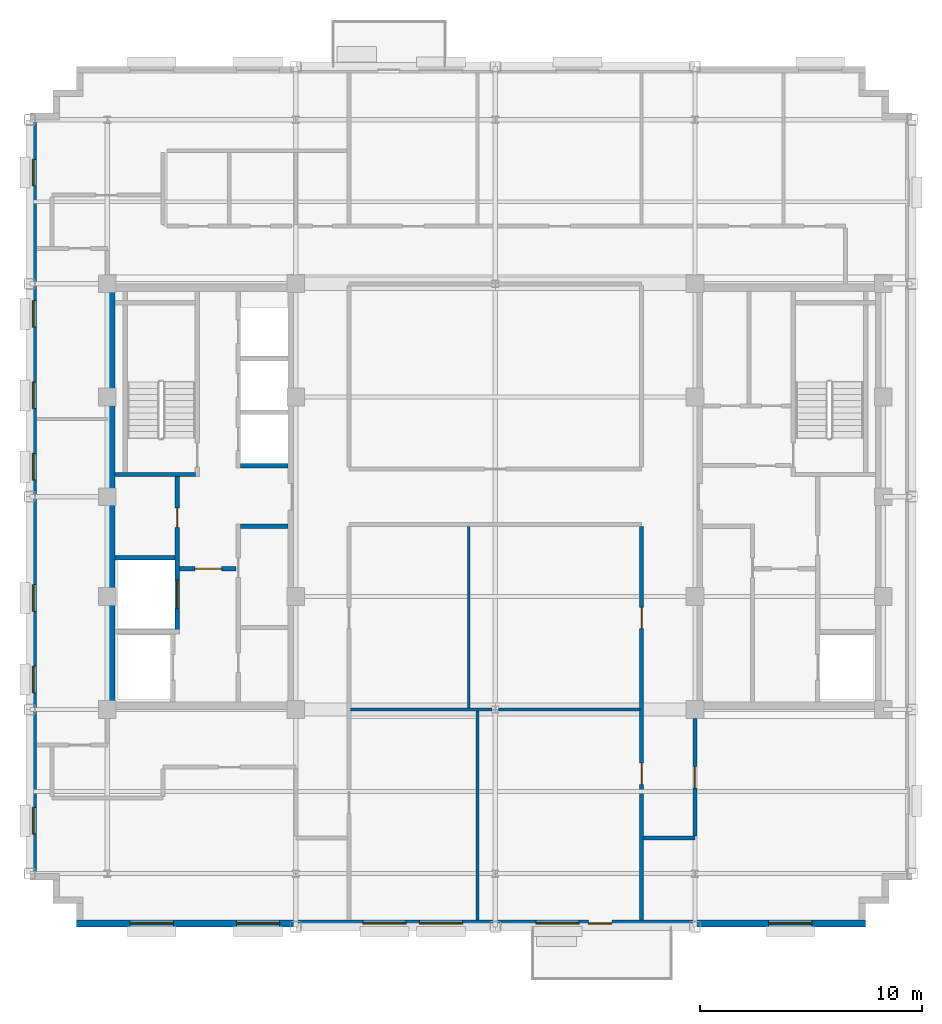
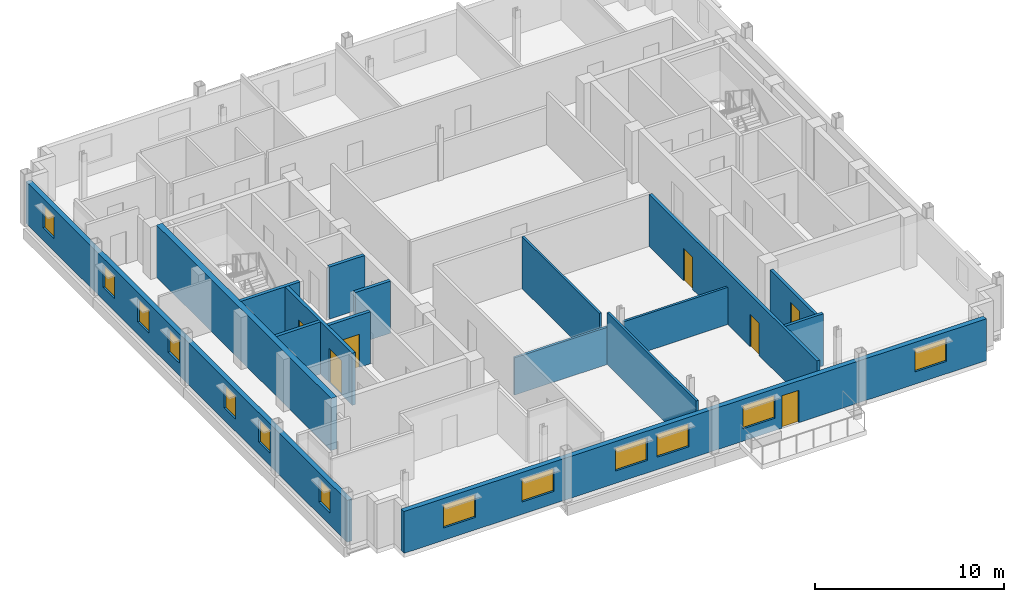
# One storey, part 6 of 13: 16 walls, 13 windows, 7 doors, 20 openings.
"""IFC4 building model written with IfcOpenShell, lengths in metres."""

import ifcopenshell
import ifcopenshell.guid

model = None  # the IFC model being written
_history = None  # IfcOwnerHistory: only IFC2X3 demands one
_inside = {}  # id of a spatial element -> (the spatial element, [elements in it])
_under = {}  # id of a project, library or spatial element -> (it, [spatial elements below it])
_declared = {}  # id of a project -> (the project, [libraries it declares])
_typed = {}  # id of a type object -> (the type object, [elements of that type])
_made_of = {}  # id of a material, layer set ... -> (it, [elements and type objects made of it])


def new_model(schema):
    """Start an empty IFC model of exactly this schema.

    Asked for "IFC4X3", IfcOpenShell would pick the latest addendum, in which some entities
    have other attributes; the version numbers below select the first issue.
    IFC2X3 requires an IfcOwnerHistory on every rooted entity: one is made here for all.
    """
    global model, _history
    if schema == "IFC4X3":
        model = ifcopenshell.file(schema_version=(4, 3, 0, 0))
    else:
        model = ifcopenshell.file(schema=schema)
    _inside.clear()
    _under.clear()
    _declared.clear()
    _typed.clear()
    _made_of.clear()
    _history = None
    if model.schema == "IFC2X3":
        org = make("IfcOrganization", Name="unknown")
        user = make(
            "IfcPersonAndOrganization",
            ThePerson=make("IfcPerson", FamilyName="unknown"),
            TheOrganization=org,
        )
        app = make(
            "IfcApplication",
            ApplicationDeveloper=org,
            Version="unknown",
            ApplicationFullName="unknown",
            ApplicationIdentifier="unknown",
        )
        _history = make(
            "IfcOwnerHistory",
            OwningUser=user,
            OwningApplication=app,
            ChangeAction="ADDED",
            CreationDate=0,
        )
    return model


def make(cls, **values):
    """One entity of the class cls with the attributes given. An attribute that is None is left unset."""
    return model.create_entity(
        cls, **{name: value for name, value in values.items() if value is not None}
    )


def rooted(cls, **values):
    """An entity with a GlobalId (a new one), such as an element, a storey or a relation."""
    return make(cls, GlobalId=ifcopenshell.guid.new(), OwnerHistory=_history, **values)


def si_unit(unit_type, name, prefix=None):
    """IfcSIUnit, for example si_unit("LENGTHUNIT", "METRE", prefix="MILLI")."""
    return make("IfcSIUnit", UnitType=unit_type, Prefix=prefix, Name=name)


def assignment(units):
    """IfcUnitAssignment: the units of a project."""
    return None if units is None else make("IfcUnitAssignment", Units=units)


def point(xyz):
    """IfcCartesianPoint."""
    return None if xyz is None else make("IfcCartesianPoint", Coordinates=xyz)


def direction(xyz):
    """IfcDirection."""
    return None if xyz is None else make("IfcDirection", DirectionRatios=xyz)


def frame(location, z_axis=None, x_axis=None):
    """IfcAxis2Placement3D, a coordinate frame: its origin and axes. An axis left out is left unset."""
    return make(
        "IfcAxis2Placement3D",
        Location=point(location),
        Axis=direction(z_axis),
        RefDirection=direction(x_axis),
    )


def frame_2d(location, x_axis=None):
    """IfcAxis2Placement2D, a coordinate frame in the plane: its origin and x axis."""
    return make(
        "IfcAxis2Placement2D", Location=point(location), RefDirection=direction(x_axis)
    )


def origin():
    """The frame at (0, 0, 0) with its axes left unset."""
    return frame((0.0, 0.0, 0.0))


def place(relative_to, where):
    """IfcLocalPlacement: puts the frame where relative to a parent placement (None: the world)."""
    return make(
        "IfcLocalPlacement", PlacementRelTo=relative_to, RelativePlacement=where
    )


def context(
    kind, dimensions, precision=None, world=None, true_north=None, identifier=None
):
    """IfcGeometricRepresentationContext, for example the 3D "Model" context."""
    return make(
        "IfcGeometricRepresentationContext",
        ContextIdentifier=identifier,
        ContextType=kind,
        CoordinateSpaceDimension=dimensions,
        Precision=precision,
        WorldCoordinateSystem=world,
        TrueNorth=true_north,
    )


def subcontext(parent, identifier, kind, view, scale=None):
    """IfcGeometricRepresentationSubContext, for example "Body" below "Model"."""
    return make(
        "IfcGeometricRepresentationSubContext",
        ContextIdentifier=identifier,
        ContextType=kind,
        ParentContext=parent,
        TargetScale=scale,
        TargetView=view,
    )


def project(units=None, contexts=None):
    """IfcProject with its units and contexts."""
    return rooted(
        "IfcProject",
        Name="project",
        RepresentationContexts=contexts,
        UnitsInContext=assignment(units),
    )


def spatial(cls, under=None, at=None, **own):
    """A site, building, storey or space (cls), placed at a placement, below another one or the project."""
    s = rooted(cls, ObjectPlacement=at, **own)
    if under is not None:
        _under.setdefault(under.id(), (under, []))[1].append(s)
    return s


def profile(cls, at=None, kind="AREA", **sizes):
    """A parametric profile (cls). Its sizes go by their IFC names, for example OverallWidth=200.0."""
    return make(cls, ProfileType=kind, Position=at, **sizes)


def rectangle(**sizes):
    """IfcRectangleProfileDef."""
    return profile("IfcRectangleProfileDef", **sizes)


def extrude(swept, where, along, depth):
    """IfcExtrudedAreaSolid: the profile swept, set in the frame where, extruded along a direction by depth."""
    return make(
        "IfcExtrudedAreaSolid",
        SweptArea=swept,
        Position=where,
        ExtrudedDirection=direction(along),
        Depth=depth,
    )


def shape(context_of_items, identifier, shape_type, items):
    """IfcShapeRepresentation: the items that make up one representation, for example the "Body"."""
    return make(
        "IfcShapeRepresentation",
        ContextOfItems=context_of_items,
        RepresentationIdentifier=identifier,
        RepresentationType=shape_type,
        Items=items,
    )


def source(mapping_origin, context_of_items, identifier, shape_type, items):
    """IfcRepresentationMap: a shape defined once, which mapped items show again and again."""
    return make(
        "IfcRepresentationMap",
        MappingOrigin=mapping_origin,
        MappedRepresentation=shape(context_of_items, identifier, shape_type, items),
    )


def transform(
    local_origin,
    x_axis=None,
    y_axis=None,
    z_axis=None,
    scale=None,
    scale2=None,
    scale3=None,
    uniform=True,
):
    """IfcCartesianTransformationOperator3D, or its non-uniform kind. x_axis, y_axis, z_axis: its Axis1, 2, 3."""
    if uniform:
        return make(
            "IfcCartesianTransformationOperator3D",
            Axis1=direction(x_axis),
            Axis2=direction(y_axis),
            LocalOrigin=point(local_origin),
            Scale=scale,
            Axis3=direction(z_axis),
        )
    return make(
        "IfcCartesianTransformationOperator3DnonUniform",
        Axis1=direction(x_axis),
        Axis2=direction(y_axis),
        LocalOrigin=point(local_origin),
        Scale=scale,
        Axis3=direction(z_axis),
        Scale2=scale2,
        Scale3=scale3,
    )


def mapped(mapping_source, mapping_target):
    """IfcMappedItem: shows the shape of a source again, moved by a transform."""
    return make(
        "IfcMappedItem", MappingSource=mapping_source, MappingTarget=mapping_target
    )


def material(Name=None, Category=None):
    """IfcMaterial."""
    return make("IfcMaterial", Name=Name, Category=Category)


def layer(
    of_material, thickness, ventilated=None, Name=None, Category=None, Priority=None
):
    """IfcMaterialLayer: one layer of a wall or slab, of a material (None: an air gap)."""
    return make(
        "IfcMaterialLayer",
        Material=of_material,
        LayerThickness=thickness,
        IsVentilated=ventilated,
        Name=Name,
        Category=Category,
        Priority=Priority,
    )


def layer_set(layers, Name=None):
    """IfcMaterialLayerSet."""
    return make("IfcMaterialLayerSet", MaterialLayers=layers, LayerSetName=Name)


def made_of(thing, what):
    """Note that an element or type object is made of a material, layer set ...; save() writes the relation."""
    if what is not None:
        _made_of.setdefault(what.id(), (what, []))[1].append(thing)
    return thing


def type_object(cls, material=None, **own):
    """A type object (cls), such as IfcWallType, which elements share."""
    return made_of(rooted(cls, **own), material)


def type_shapes(of_type, sources):
    """Give a type object the sources (RepresentationMaps) that its elements show as mapped items."""
    of_type.RepresentationMaps = sources


def element(
    cls,
    number,
    at=None,
    inside=None,
    cuts=None,
    type_object=None,
    material=None,
    context=None,
    identifier="Body",
    shape_type=None,
    held_by="IfcProductDefinitionShape",
    body=None,
    shapes=None,
    **own,
):
    """One element of the class cls, such as IfcWall. Its Tag is "e" and its number.

    at: its placement. inside: the storey or other place that contains it. cuts: it is an
    opening in that element (IfcRelVoidsElement). A single representation is given by context,
    identifier, shape_type and body (its items); several are given by shapes. held_by: the class
    of the entity that holds the representations. save() writes the other relations.
    """
    e = rooted(cls, Tag="e%d" % number, ObjectPlacement=at, **own)
    if body is not None:
        shapes = [shape(context, identifier, shape_type, body)]
    if shapes is not None:
        e.Representation = make(held_by, Representations=shapes)
    if inside is not None:
        _inside.setdefault(inside.id(), (inside, []))[1].append(e)
    if cuts is not None:
        rooted(
            "IfcRelVoidsElement", RelatingBuildingElement=cuts, RelatedOpeningElement=e
        )
    if type_object is not None:
        _typed.setdefault(type_object.id(), (type_object, []))[1].append(e)
    return made_of(e, material)


def fill(opening, filler):
    """IfcRelFillsElement: the door or window that sits in an opening."""
    return rooted(
        "IfcRelFillsElement",
        RelatingOpeningElement=opening,
        RelatedBuildingElement=filler,
    )


def aggregate(whole, parts):
    """IfcRelAggregates: a whole, such as a stair, and the parts it consists of."""
    return rooted("IfcRelAggregates", RelatingObject=whole, RelatedObjects=parts)


def save(model, path):
    """Write the relations noted so far, then the file.

    IfcRelAggregates (storeys below a building ...), IfcRelContainedInSpatialStructure (elements
    in a storey), IfcRelDefinesByType, IfcRelAssociatesMaterial and IfcRelDeclares: one each for
    every whole, place, type object, material and project.
    """
    for whole, parts in _under.values():
        aggregate(whole, parts)
    for where, things in _inside.values():
        rooted(
            "IfcRelContainedInSpatialStructure",
            RelatedElements=things,
            RelatingStructure=where,
        )
    for kind, things in _typed.values():
        rooted("IfcRelDefinesByType", RelatedObjects=things, RelatingType=kind)
    for what, things in _made_of.values():
        rooted("IfcRelAssociatesMaterial", RelatedObjects=things, RelatingMaterial=what)
    for by, libraries in _declared.values():
        rooted("IfcRelDeclares", RelatingContext=by, RelatedDefinitions=libraries)
    model.write(path)


model = new_model("IFC4")

# Units and contexts
model_context = context("Model", 3, precision=1e-05, world=origin(), true_north=direction((0.0, 1.0)))
body_context = subcontext(model_context, "Body", "Model", "MODEL_VIEW")
ifc_project = project(units=[si_unit("LENGTHUNIT", "METRE"), si_unit("AREAUNIT", "SQUARE_METRE"), si_unit("VOLUMEUNIT", "CUBIC_METRE"), si_unit("PLANEANGLEUNIT", "RADIAN"), si_unit("MASSUNIT", "GRAM", prefix="KILO")], contexts=[model_context])

# Site, building, storey
site_placement = place(None, origin())
site = spatial("IfcSite", under=ifc_project, at=site_placement, CompositionType="ELEMENT")
building_placement = place(site_placement, origin())
building = spatial("IfcBuilding", under=site, at=building_placement, Name="Nuvemarco Arch Tower", CompositionType="ELEMENT")
storey_placement = place(building_placement, frame((0.0, 0.0, 257.949951171875)))
storey = spatial("IfcBuildingStorey", under=building, at=storey_placement, Name="L68", CompositionType="ELEMENT", Elevation=257.949951171875)

# Wall, openings, door, windows
ifc_material_1 = material(Name="Precast concrete C45/55", Category="concrete")
ifc_layer_1 = layer(ifc_material_1, 0.300048828125, Name="EW-HIGH-300")
ifc_layer_set_1 = layer_set([ifc_layer_1], Name="Precast concrete C45/55")
wall_type_1 = type_object("IfcWallType", Name="EW-HIGH-300", PredefinedType="STANDARD", material=ifc_layer_set_1)
wall_1_placement = place(storey_placement, frame((-18.89990234375, -19.25, 0.0), z_axis=(0.0, 0.0, 1.0), x_axis=(1.0, 0.0, 0.0)))
wall_1 = element("IfcWall", 1, at=wall_1_placement, inside=storey, type_object=wall_type_1, Name="L68 exterior precast facade wall 1", PredefinedType="STANDARD", context=body_context, shape_type="SweptSolid", body=[
    extrude(rectangle(XDim=35.599853515625, YDim=0.300048828125, at=frame_2d((17.7998046875, 0.0))), origin(), (0.0, 0.0, 1.0), 2.705078125),
])
opening_1_placement = place(wall_1_placement, frame((24.150146484375, 0.0, 0.0), z_axis=(0.0, 0.0, 1.0), x_axis=(-1.0, 0.0, 0.0)))
opening_1 = element("IfcOpeningElement", 2, at=opening_1_placement, cuts=wall_1, Name="Opening ED-5", PredefinedType="OPENING", context=body_context, shape_type="SweptSolid", body=[
    extrude(rectangle(XDim=1.050048828125, YDim=2.10009765625, at=frame_2d((0.52490234375, 1.050048828125))), frame((0.0, 0.159912109375, 0.0), z_axis=(0.0, -1.0, 0.0), x_axis=(1.0, 0.0, 0.0)), (0.0, 0.0, 1.0), 0.320068359375),
])
opening_2_placement = place(wall_1_placement, frame((2.425048828125, 0.0, 0.800048828125)))
opening_2 = element("IfcOpeningElement", 3, at=opening_2_placement, cuts=wall_1, Name="Opening WN-7", PredefinedType="OPENING", context=body_context, shape_type="SweptSolid", body=[
    extrude(rectangle(XDim=1.949951171875, YDim=1.47998046875, at=frame_2d((0.97509765625, 0.739990234375))), frame((0.0, 0.159912109375, 0.0), z_axis=(0.0, -1.0, 0.0), x_axis=(1.0, 0.0, 0.0)), (0.0, 0.0, 1.0), 0.320068359375),
])
opening_3_placement = place(wall_1_placement, frame((7.22509765625, 0.0, 0.800048828125)))
opening_3 = element("IfcOpeningElement", 4, at=opening_3_placement, cuts=wall_1, Name="Opening WN-7", PredefinedType="OPENING", context=body_context, shape_type="SweptSolid", body=[
    extrude(rectangle(XDim=1.949951171875, YDim=1.47998046875, at=frame_2d((0.97509765625, 0.739990234375))), frame((0.0, 0.159912109375, 0.0), z_axis=(0.0, -1.0, 0.0), x_axis=(1.0, 0.0, 0.0)), (0.0, 0.0, 1.0), 0.320068359375),
])
opening_4_placement = place(wall_1_placement, frame((12.925048828125, 0.0, 0.800048828125)))
opening_4 = element("IfcOpeningElement", 5, at=opening_4_placement, cuts=wall_1, Name="Opening WN-7", PredefinedType="OPENING", context=body_context, shape_type="SweptSolid", body=[
    extrude(rectangle(XDim=1.949951171875, YDim=1.47998046875, at=frame_2d((0.97509765625, 0.739990234375))), frame((0.0, 0.159912109375, 0.0), z_axis=(0.0, -1.0, 0.0), x_axis=(1.0, 0.0, 0.0)), (0.0, 0.0, 1.0), 0.320068359375),
])
opening_5_placement = place(wall_1_placement, frame((15.47509765625, 0.0, 0.800048828125)))
opening_5 = element("IfcOpeningElement", 6, at=opening_5_placement, cuts=wall_1, Name="Opening WN-7", PredefinedType="OPENING", context=body_context, shape_type="SweptSolid", body=[
    extrude(rectangle(XDim=1.949951171875, YDim=1.47998046875, at=frame_2d((0.97509765625, 0.739990234375))), frame((0.0, 0.159912109375, 0.0), z_axis=(0.0, -1.0, 0.0), x_axis=(1.0, 0.0, 0.0)), (0.0, 0.0, 1.0), 0.320068359375),
])
opening_6_placement = place(wall_1_placement, frame((20.72509765625, 0.0, 0.800048828125)))
opening_6 = element("IfcOpeningElement", 7, at=opening_6_placement, cuts=wall_1, Name="Opening WN-7", PredefinedType="OPENING", context=body_context, shape_type="SweptSolid", body=[
    extrude(rectangle(XDim=1.949951171875, YDim=1.47998046875, at=frame_2d((0.97509765625, 0.739990234375))), frame((0.0, 0.159912109375, 0.0), z_axis=(0.0, -1.0, 0.0), x_axis=(1.0, 0.0, 0.0)), (0.0, 0.0, 1.0), 0.320068359375),
])
opening_7_placement = place(wall_1_placement, frame((31.22509765625, 0.0, 0.800048828125)))
opening_7 = element("IfcOpeningElement", 8, at=opening_7_placement, cuts=wall_1, Name="Opening WN-7", PredefinedType="OPENING", context=body_context, shape_type="SweptSolid", body=[
    extrude(rectangle(XDim=1.949951171875, YDim=1.47998046875, at=frame_2d((0.97509765625, 0.739990234375))), frame((0.0, 0.159912109375, 0.0), z_axis=(0.0, -1.0, 0.0), x_axis=(1.0, 0.0, 0.0)), (0.0, 0.0, 1.0), 0.320068359375),
])
ifc_material_2 = material(Name="Anodised bronze and laminated glass", Category="glass")
door_type_1 = type_object("IfcDoorType", Name="DR-EXT-TERR", OperationType="NOTDEFINED", PredefinedType="DOOR", material=ifc_material_2)
shared_shape_1 = source(origin(), body_context, "Body", "SweptSolid", [
    extrude(rectangle(XDim=1.050048828125, YDim=2.10009765625, at=frame_2d((0.52490234375, 1.050048828125))), frame((0.0, 0.02490234375, 0.0), z_axis=(0.0, -1.0, 0.0), x_axis=(1.0, 0.0, 0.0)), (0.0, 0.0, 1.0), 0.050048828125),
])
type_shapes(door_type_1, [shared_shape_1])
door_1_placement = place(opening_1_placement, origin())
door_1 = element("IfcDoor", 9, at=door_1_placement, inside=storey, type_object=door_type_1, Name="L68 spiral terrace access door", OperationType="SINGLE_SWING_RIGHT", OverallHeight=2.10009765625, OverallWidth=1.050048828125, PredefinedType="DOOR", context=body_context, shape_type="MappedRepresentation", body=[
    mapped(shared_shape_1, transform((0.0, 0.0, 0.0), scale=1.0)),
])
fill(opening_1, door_1)
ifc_material_3 = material(Name="Insulated solar-control glass", Category="glass")
window_type_1 = type_object("IfcWindowType", Name="WN-HIGH-1950x1480", PartitioningType="DOUBLE_PANEL_VERTICAL", PredefinedType="WINDOW", material=ifc_material_3)
shared_shape_2 = source(origin(), body_context, "Body", "SweptSolid", [
    extrude(rectangle(XDim=1.949951171875, YDim=1.47998046875, at=frame_2d((0.97509765625, 0.739990234375))), frame((0.0, 0.030029296875, 0.0), z_axis=(0.0, -1.0, 0.0), x_axis=(1.0, 0.0, 0.0)), (0.0, 0.0, 1.0), 0.06005859375),
])
type_shapes(window_type_1, [shared_shape_2])
window_1_placement = place(opening_2_placement, origin())
window_1 = element("IfcWindow", 10, at=window_1_placement, inside=storey, type_object=window_type_1, Name="L68 punched facade window 1", OverallHeight=1.47998046875, OverallWidth=1.949951171875, PartitioningType="SINGLE_PANEL", PredefinedType="WINDOW", context=body_context, shape_type="MappedRepresentation", body=[
    mapped(shared_shape_2, transform((0.0, 0.0, 0.0), scale=1.0)),
])
fill(opening_2, window_1)
window_2_placement = place(opening_3_placement, origin())
window_2 = element("IfcWindow", 11, at=window_2_placement, inside=storey, type_object=window_type_1, Name="L68 punched facade window 2", OverallHeight=1.47998046875, OverallWidth=1.949951171875, PartitioningType="SINGLE_PANEL", PredefinedType="WINDOW", context=body_context, shape_type="MappedRepresentation", body=[
    mapped(shared_shape_2, transform((0.0, 0.0, 0.0), scale=1.0)),
])
fill(opening_3, window_2)
window_3_placement = place(opening_4_placement, origin())
window_3 = element("IfcWindow", 12, at=window_3_placement, inside=storey, type_object=window_type_1, Name="L68 punched facade window 3", OverallHeight=1.47998046875, OverallWidth=1.949951171875, PartitioningType="SINGLE_PANEL", PredefinedType="WINDOW", context=body_context, shape_type="MappedRepresentation", body=[
    mapped(shared_shape_2, transform((0.0, 0.0, 0.0), scale=1.0)),
])
fill(opening_4, window_3)
window_4_placement = place(opening_5_placement, origin())
window_4 = element("IfcWindow", 13, at=window_4_placement, inside=storey, type_object=window_type_1, Name="L68 punched facade window 4", OverallHeight=1.47998046875, OverallWidth=1.949951171875, PartitioningType="SINGLE_PANEL", PredefinedType="WINDOW", context=body_context, shape_type="MappedRepresentation", body=[
    mapped(shared_shape_2, transform((0.0, 0.0, 0.0), scale=1.0)),
])
fill(opening_5, window_4)
window_5_placement = place(opening_6_placement, origin())
window_5 = element("IfcWindow", 14, at=window_5_placement, inside=storey, type_object=window_type_1, Name="L68 punched facade window 5", OverallHeight=1.47998046875, OverallWidth=1.949951171875, PartitioningType="SINGLE_PANEL", PredefinedType="WINDOW", context=body_context, shape_type="MappedRepresentation", body=[
    mapped(shared_shape_2, transform((0.0, 0.0, 0.0), scale=1.0)),
])
fill(opening_6, window_5)
window_6_placement = place(opening_7_placement, origin())
window_6 = element("IfcWindow", 15, at=window_6_placement, inside=storey, type_object=window_type_1, Name="L68 punched facade window 7", OverallHeight=1.47998046875, OverallWidth=1.949951171875, PartitioningType="SINGLE_PANEL", PredefinedType="WINDOW", context=body_context, shape_type="MappedRepresentation", body=[
    mapped(shared_shape_2, transform((0.0, 0.0, 0.0), scale=1.0)),
])
fill(opening_7, window_6)

# Wall, openings, windows
wall_2_placement = place(storey_placement, frame((-20.85009765625, -17.00390625, 0.0), z_axis=(0.0, 0.0, 1.0), x_axis=(0.0, 1.0, 0.0)))
wall_2 = element("IfcWall", 16, at=wall_2_placement, inside=storey, type_object=wall_type_1, Name="L68 exterior precast facade wall 16", PredefinedType="STANDARD", context=body_context, shape_type="SweptSolid", body=[
    extrude(rectangle(XDim=34.0078125, YDim=0.300048828125, at=frame_2d((17.00390625, 0.0))), origin(), (0.0, 0.0, 1.0), 2.705078125),
])
opening_8_placement = place(wall_2_placement, frame((1.786376953125, 0.0, 0.800048828125)))
opening_8 = element("IfcOpeningElement", 17, at=opening_8_placement, cuts=wall_2, Name="Opening WN-8", PredefinedType="OPENING", context=body_context, shape_type="SweptSolid", body=[
    extrude(rectangle(XDim=1.199951171875, YDim=1.47998046875, at=frame_2d((0.60009765625, 0.739990234375))), frame((0.0, 0.159912109375, 0.0), z_axis=(0.0, -1.0, 0.0), x_axis=(1.0, 0.0, 0.0)), (0.0, 0.0, 1.0), 0.320068359375),
])
opening_9_placement = place(wall_2_placement, frame((8.158935546875, 0.0, 0.800048828125)))
opening_9 = element("IfcOpeningElement", 18, at=opening_9_placement, cuts=wall_2, Name="Opening WN-8", PredefinedType="OPENING", context=body_context, shape_type="SweptSolid", body=[
    extrude(rectangle(XDim=1.199951171875, YDim=1.47998046875, at=frame_2d((0.60009765625, 0.739990234375))), frame((0.0, 0.159912109375, 0.0), z_axis=(0.0, -1.0, 0.0), x_axis=(1.0, 0.0, 0.0)), (0.0, 0.0, 1.0), 0.320068359375),
])
opening_10_placement = place(wall_2_placement, frame((11.831298828125, 0.0, 0.800048828125)))
opening_10 = element("IfcOpeningElement", 19, at=opening_10_placement, cuts=wall_2, Name="Opening WN-8", PredefinedType="OPENING", context=body_context, shape_type="SweptSolid", body=[
    extrude(rectangle(XDim=1.199951171875, YDim=1.47998046875, at=frame_2d((0.60009765625, 0.739990234375))), frame((0.0, 0.159912109375, 0.0), z_axis=(0.0, -1.0, 0.0), x_axis=(1.0, 0.0, 0.0)), (0.0, 0.0, 1.0), 0.320068359375),
])
opening_11_placement = place(wall_2_placement, frame((17.75390625, 0.0, 0.800048828125)))
opening_11 = element("IfcOpeningElement", 20, at=opening_11_placement, cuts=wall_2, Name="Opening WN-8", PredefinedType="OPENING", context=body_context, shape_type="SweptSolid", body=[
    extrude(rectangle(XDim=1.199951171875, YDim=1.47998046875, at=frame_2d((0.60009765625, 0.739990234375))), frame((0.0, 0.159912109375, 0.0), z_axis=(0.0, -1.0, 0.0), x_axis=(1.0, 0.0, 0.0)), (0.0, 0.0, 1.0), 0.320068359375),
])
opening_12_placement = place(wall_2_placement, frame((20.9765625, 0.0, 0.800048828125)))
opening_12 = element("IfcOpeningElement", 21, at=opening_12_placement, cuts=wall_2, Name="Opening WN-8", PredefinedType="OPENING", context=body_context, shape_type="SweptSolid", body=[
    extrude(rectangle(XDim=1.199951171875, YDim=1.47998046875, at=frame_2d((0.60009765625, 0.739990234375))), frame((0.0, 0.159912109375, 0.0), z_axis=(0.0, -1.0, 0.0), x_axis=(1.0, 0.0, 0.0)), (0.0, 0.0, 1.0), 0.320068359375),
])
opening_13_placement = place(wall_2_placement, frame((24.649169921875, 0.0, 0.800048828125)))
opening_13 = element("IfcOpeningElement", 22, at=opening_13_placement, cuts=wall_2, Name="Opening WN-8", PredefinedType="OPENING", context=body_context, shape_type="SweptSolid", body=[
    extrude(rectangle(XDim=1.199951171875, YDim=1.47998046875, at=frame_2d((0.60009765625, 0.739990234375))), frame((0.0, 0.159912109375, 0.0), z_axis=(0.0, -1.0, 0.0), x_axis=(1.0, 0.0, 0.0)), (0.0, 0.0, 1.0), 0.320068359375),
])
opening_14_placement = place(wall_2_placement, frame((31.021728515625, 0.0, 0.800048828125)))
opening_14 = element("IfcOpeningElement", 23, at=opening_14_placement, cuts=wall_2, Name="Opening WN-8", PredefinedType="OPENING", context=body_context, shape_type="SweptSolid", body=[
    extrude(rectangle(XDim=1.199951171875, YDim=1.47998046875, at=frame_2d((0.60009765625, 0.739990234375))), frame((0.0, 0.159912109375, 0.0), z_axis=(0.0, -1.0, 0.0), x_axis=(1.0, 0.0, 0.0)), (0.0, 0.0, 1.0), 0.320068359375),
])
window_type_2 = type_object("IfcWindowType", Name="WN-HIGH-1200x1480", PartitioningType="SINGLE_PANEL", PredefinedType="WINDOW", material=ifc_material_3)
shared_shape_3 = source(origin(), body_context, "Body", "SweptSolid", [
    extrude(rectangle(XDim=1.199951171875, YDim=1.47998046875, at=frame_2d((0.60009765625, 0.739990234375))), frame((0.0, 0.030029296875, 0.0), z_axis=(0.0, -1.0, 0.0), x_axis=(1.0, 0.0, 0.0)), (0.0, 0.0, 1.0), 0.06005859375),
])
type_shapes(window_type_2, [shared_shape_3])
window_7_placement = place(opening_8_placement, origin())
window_7 = element("IfcWindow", 24, at=window_7_placement, inside=storey, type_object=window_type_2, Name="L68 punched facade window 1", OverallHeight=1.47998046875, OverallWidth=1.199951171875, PartitioningType="SINGLE_PANEL", PredefinedType="WINDOW", context=body_context, shape_type="MappedRepresentation", body=[
    mapped(shared_shape_3, transform((0.0, 0.0, 0.0), scale=1.0)),
])
fill(opening_8, window_7)
window_8_placement = place(opening_9_placement, origin())
window_8 = element("IfcWindow", 25, at=window_8_placement, inside=storey, type_object=window_type_2, Name="L68 punched facade window 2", OverallHeight=1.47998046875, OverallWidth=1.199951171875, PartitioningType="SINGLE_PANEL", PredefinedType="WINDOW", context=body_context, shape_type="MappedRepresentation", body=[
    mapped(shared_shape_3, transform((0.0, 0.0, 0.0), scale=1.0)),
])
fill(opening_9, window_8)
window_9_placement = place(opening_10_placement, origin())
window_9 = element("IfcWindow", 26, at=window_9_placement, inside=storey, type_object=window_type_2, Name="L68 punched facade window 3", OverallHeight=1.47998046875, OverallWidth=1.199951171875, PartitioningType="SINGLE_PANEL", PredefinedType="WINDOW", context=body_context, shape_type="MappedRepresentation", body=[
    mapped(shared_shape_3, transform((0.0, 0.0, 0.0), scale=1.0)),
])
fill(opening_10, window_9)
window_10_placement = place(opening_11_placement, origin())
window_10 = element("IfcWindow", 27, at=window_10_placement, inside=storey, type_object=window_type_2, Name="L68 punched facade window 4", OverallHeight=1.47998046875, OverallWidth=1.199951171875, PartitioningType="SINGLE_PANEL", PredefinedType="WINDOW", context=body_context, shape_type="MappedRepresentation", body=[
    mapped(shared_shape_3, transform((0.0, 0.0, 0.0), scale=1.0)),
])
fill(opening_11, window_10)
window_11_placement = place(opening_12_placement, origin())
window_11 = element("IfcWindow", 28, at=window_11_placement, inside=storey, type_object=window_type_2, Name="L68 punched facade window 5", OverallHeight=1.47998046875, OverallWidth=1.199951171875, PartitioningType="SINGLE_PANEL", PredefinedType="WINDOW", context=body_context, shape_type="MappedRepresentation", body=[
    mapped(shared_shape_3, transform((0.0, 0.0, 0.0), scale=1.0)),
])
fill(opening_12, window_11)
window_12_placement = place(opening_13_placement, origin())
window_12 = element("IfcWindow", 29, at=window_12_placement, inside=storey, type_object=window_type_2, Name="L68 punched facade window 6", OverallHeight=1.47998046875, OverallWidth=1.199951171875, PartitioningType="SINGLE_PANEL", PredefinedType="WINDOW", context=body_context, shape_type="MappedRepresentation", body=[
    mapped(shared_shape_3, transform((0.0, 0.0, 0.0), scale=1.0)),
])
fill(opening_13, window_12)
window_13_placement = place(opening_14_placement, origin())
window_13 = element("IfcWindow", 30, at=window_13_placement, inside=storey, type_object=window_type_2, Name="L68 punched facade window 7", OverallHeight=1.47998046875, OverallWidth=1.199951171875, PartitioningType="SINGLE_PANEL", PredefinedType="WINDOW", context=body_context, shape_type="MappedRepresentation", body=[
    mapped(shared_shape_3, transform((0.0, 0.0, 0.0), scale=1.0)),
])
fill(opening_14, window_13)

# Walls
ifc_material_4 = material(Name="Concrete C50/60", Category="concrete")
ifc_layer_2 = layer(ifc_material_4, 0.35009765625, Name="WL-CORE-350")
ifc_layer_set_2 = layer_set([ifc_layer_2], Name="Concrete C50/60")
wall_type_2 = type_object("IfcWallType", Name="WL-CORE-350", PredefinedType="SHEAR", material=ifc_layer_set_2)
wall_3_placement = place(storey_placement, frame((-17.324951171875, -9.2548828125, 0.0), z_axis=(0.0, 0.0, 1.0), x_axis=(0.0, 1.0, 0.0)))
element("IfcWall", 31, at=wall_3_placement, inside=storey, type_object=wall_type_2, Name="L68 W-core shear wall W", PredefinedType="SHEAR", context=body_context, shape_type="SweptSolid", body=[
    extrude(rectangle(XDim=18.509765625, YDim=0.35009765625, at=frame_2d((9.2548828125, 0.0))), origin(), (0.0, 0.0, 1.0), 3.3701171875),
])
ifc_material_5 = material(Name="Fire-rated gypsum drywall partition")
ifc_layer_3 = layer(ifc_material_5, 0.179931640625, Name="WL-CORR-180")
ifc_layer_set_3 = layer_set([ifc_layer_3], Name="Fire-rated gypsum drywall partition")
wall_type_3 = type_object("IfcWallType", Name="WL-CORR-180", PredefinedType="PARTITIONING", material=ifc_layer_set_3)
wall_4_placement = place(storey_placement, frame((6.666015625, -15.39990234375, 0.0), z_axis=(0.0, 0.0, 1.0), x_axis=(1.0, 0.0, 0.0)))
element("IfcWall", 32, at=wall_4_placement, inside=storey, type_object=wall_type_3, Name="L68 interior wall IW-L68-002", PredefinedType="PARTITIONING", context=body_context, shape_type="SweptSolid", body=[
    extrude(rectangle(XDim=2.333984375, YDim=0.179931640625, at=frame_2d((1.1669921875, 0.0))), origin(), (0.0, 0.0, 1.0), 3.360107421875),
])

# Wall, openings, doors
wall_5_placement = place(storey_placement, frame((6.60009765625, -19.10009765625, 0.0), z_axis=(0.0, 0.0, 1.0), x_axis=(0.0, 1.0, 0.0)))
wall_5 = element("IfcWall", 33, at=wall_5_placement, inside=storey, type_object=wall_type_3, Name="L68 interior wall IW-L68-033", PredefinedType="PARTITIONING", context=body_context, shape_type="SweptSolid", body=[
    extrude(rectangle(XDim=17.76416015625, YDim=0.179931640625, at=frame_2d((8.882080078125, 0.0))), origin(), (0.0, 0.0, 1.0), 3.360107421875),
])
opening_15_placement = place(wall_5_placement, frame((13.152099609375, 0.0, 0.0)))
opening_15 = element("IfcOpeningElement", 34, at=opening_15_placement, cuts=wall_5, Name="Opening FD-5", PredefinedType="OPENING", context=body_context, shape_type="SweptSolid", body=[
    extrude(rectangle(XDim=0.9599609375, YDim=2.10009765625, at=frame_2d((0.47998046875, 1.050048828125))), frame((0.0, 0.099853515625, 0.0), z_axis=(0.0, -1.0, 0.0), x_axis=(1.0, 0.0, 0.0)), (0.0, 0.0, 1.0), 0.199951171875),
])
opening_16_placement = place(wall_5_placement, frame((6.1201171875, 0.0, 0.0)))
opening_16 = element("IfcOpeningElement", 35, at=opening_16_placement, cuts=wall_5, Name="Opening FD-5", PredefinedType="OPENING", context=body_context, shape_type="SweptSolid", body=[
    extrude(rectangle(XDim=0.9599609375, YDim=2.10009765625, at=frame_2d((0.47998046875, 1.050048828125))), frame((0.0, 0.099853515625, 0.0), z_axis=(0.0, -1.0, 0.0), x_axis=(1.0, 0.0, 0.0)), (0.0, 0.0, 1.0), 0.199951171875),
])
ifc_material_6 = material(Name="Timber fire door", Category="wood")
door_type_2 = type_object("IfcDoorType", Name="DR-CORR-FD", OperationType="NOTDEFINED", PredefinedType="DOOR", material=ifc_material_6)
shared_shape_4 = source(origin(), body_context, "Body", "SweptSolid", [
    extrude(rectangle(XDim=0.9599609375, YDim=2.10009765625, at=frame_2d((0.47998046875, 1.050048828125))), frame((0.0, 0.02490234375, 0.0), z_axis=(0.0, -1.0, 0.0), x_axis=(1.0, 0.0, 0.0)), (0.0, 0.0, 1.0), 0.050048828125),
])
type_shapes(door_type_2, [shared_shape_4])
door_2_placement = place(opening_15_placement, origin())
door_2 = element("IfcDoor", 36, at=door_2_placement, inside=storey, type_object=door_type_2, Name="L68 door DR-L68-C_S2", OperationType="SINGLE_SWING_RIGHT", OverallHeight=2.10009765625, OverallWidth=0.9599609375, PredefinedType="DOOR", context=body_context, shape_type="MappedRepresentation", body=[
    mapped(shared_shape_4, transform((0.0, 0.0, 0.0), scale=1.0)),
])
fill(opening_15, door_2)
door_3_placement = place(opening_16_placement, origin())
door_3 = element("IfcDoor", 37, at=door_3_placement, inside=storey, type_object=door_type_2, Name="L68 door DR-L68-S_3", OperationType="SINGLE_SWING_LEFT", OverallHeight=2.10009765625, OverallWidth=0.9599609375, PredefinedType="DOOR", context=body_context, shape_type="MappedRepresentation", body=[
    mapped(shared_shape_4, transform((0.0, 0.0, 0.0), scale=1.0)),
])
fill(opening_16, door_3)

# Wall, opening, door
wall_6_placement = place(storey_placement, frame((9.0, -15.31396484375, 0.0), z_axis=(0.0, 0.0, 1.0), x_axis=(0.0, 1.0, 0.0)))
wall_6 = element("IfcWall", 38, at=wall_6_placement, inside=storey, type_object=wall_type_3, Name="L68 interior wall IW-L68-036", PredefinedType="PARTITIONING", context=body_context, shape_type="SweptSolid", body=[
    extrude(rectangle(XDim=5.31787109375, YDim=0.179931640625, at=frame_2d((2.658935546875, 0.0))), origin(), (0.0, 0.0, 1.0), 2.89208984375),
])
opening_17_placement = place(wall_6_placement, frame((2.178955078125, 0.0, 0.0)))
opening_17 = element("IfcOpeningElement", 39, at=opening_17_placement, cuts=wall_6, Name="Opening FD-5", PredefinedType="OPENING", context=body_context, shape_type="SweptSolid", body=[
    extrude(rectangle(XDim=0.9599609375, YDim=2.10009765625, at=frame_2d((0.47998046875, 1.050048828125))), frame((0.0, 0.099853515625, 0.0), z_axis=(0.0, -1.0, 0.0), x_axis=(1.0, 0.0, 0.0)), (0.0, 0.0, 1.0), 0.199951171875),
])
door_4_placement = place(opening_17_placement, origin())
door_4 = element("IfcDoor", 40, at=door_4_placement, inside=storey, type_object=door_type_2, Name="L68 door DR-L68-S_4", OperationType="SINGLE_SWING_LEFT", OverallHeight=2.10009765625, OverallWidth=0.9599609375, PredefinedType="DOOR", context=body_context, shape_type="MappedRepresentation", body=[
    mapped(shared_shape_4, transform((0.0, 0.0, 0.0), scale=1.0)),
])
fill(opening_17, door_4)

# Walls
ifc_material_7 = material(Name="Glazed acoustic office partition")
ifc_layer_4 = layer(ifc_material_7, 0.1298828125, Name="WL-EXEC-130")
ifc_layer_set_4 = layer_set([ifc_layer_4], Name="Glazed acoustic office partition")
wall_type_4 = type_object("IfcWallType", Name="WL-EXEC-130", PredefinedType="PARTITIONING", material=ifc_layer_set_4)
wall_7_placement = place(storey_placement, frame((-1.199951171875, -9.533935546875, 0.0), z_axis=(0.0, 0.0, 1.0), x_axis=(0.0, 1.0, 0.0)))
element("IfcWall", 41, at=wall_7_placement, inside=storey, type_object=wall_type_4, Name="L68 interior wall IW-L68-030", PredefinedType="PARTITIONING", context=body_context, shape_type="SweptSolid", body=[
    extrude(rectangle(XDim=8.197998046875, YDim=0.1298828125, at=frame_2d((4.09912109375, 0.0))), origin(), (0.0, 0.0, 1.0), 3.360107421875),
])
ifc_material_8 = material(Name="Gypsum plasterboard partition")
ifc_layer_5 = layer(ifc_material_8, 0.139892578125, Name="WL-ROOM-140")
ifc_layer_set_5 = layer_set([ifc_layer_5], Name="Gypsum plasterboard partition")
wall_type_5 = type_object("IfcWallType", Name="WL-ROOM-140", PredefinedType="PARTITIONING", material=ifc_layer_set_5)
wall_8_placement = place(storey_placement, frame((-6.52392578125, -9.60009765625, 0.0), z_axis=(0.0, 0.0, 1.0), x_axis=(1.0, 0.0, 0.0)))
element("IfcWall", 42, at=wall_8_placement, inside=storey, type_object=wall_type_5, Name="L68 interior wall IW-L68-006", PredefinedType="PARTITIONING", context=body_context, shape_type="SweptSolid", body=[
    extrude(rectangle(XDim=6.373046875, YDim=0.139892578125, at=frame_2d((3.1865234375, 0.0))), origin(), (0.0, 0.0, 1.0), 2.405029296875),
])
wall_9_placement = place(storey_placement, frame((0.15087890625, -9.60009765625, 0.0), z_axis=(0.0, 0.0, 1.0), x_axis=(1.0, 0.0, 0.0)))
element("IfcWall", 43, at=wall_9_placement, inside=storey, type_object=wall_type_5, Name="L68 interior wall IW-L68-007", PredefinedType="PARTITIONING", context=body_context, shape_type="SweptSolid", body=[
    extrude(rectangle(XDim=6.383056640625, YDim=0.139892578125, at=frame_2d((3.19140625, 0.0))), origin(), (0.0, 0.0, 1.0), 2.405029296875),
])
wall_10_placement = place(storey_placement, frame((-0.800048828125, -19.10009765625, 0.0), z_axis=(0.0, 0.0, 1.0), x_axis=(0.0, 1.0, 0.0)))
element("IfcWall", 44, at=wall_10_placement, inside=storey, type_object=wall_type_5, Name="L68 interior wall IW-L68-031", PredefinedType="PARTITIONING", context=body_context, shape_type="SweptSolid", body=[
    extrude(rectangle(XDim=9.43408203125, YDim=0.139892578125, at=frame_2d((4.717041015625, 0.0))), origin(), (0.0, 0.0, 1.0), 3.360107421875),
])
ifc_layer_6 = layer(ifc_material_4, 0.199951171875, Name="WL-SHAFT-220")
ifc_layer_set_6 = layer_set([ifc_layer_6], Name="Concrete C50/60")
wall_type_6 = type_object("IfcWallType", Name="WL-SHAFT-220", PredefinedType="SHEAR", material=ifc_layer_set_6)
wall_11_placement = place(storey_placement, frame((-17.155029296875, 1.0, 0.0), z_axis=(0.0, 0.0, 1.0), x_axis=(1.0, 0.0, 0.0)))
element("IfcWall", 45, at=wall_11_placement, inside=storey, type_object=wall_type_6, Name="L68 structural shaft wall SW-L68-W-ST1S", PredefinedType="SHEAR", context=body_context, shape_type="SweptSolid", body=[
    extrude(rectangle(XDim=3.6201171875, YDim=0.199951171875, at=frame_2d((1.81005859375, 0.0))), origin(), (0.0, 0.0, 1.0), 3.3701171875),
])

# Wall, openings, doors
wall_12_placement = place(storey_placement, frame((-14.35009765625, -6.199951171875, 0.0), z_axis=(0.0, 0.0, 1.0), x_axis=(0.0, 1.0, 0.0)))
wall_12 = element("IfcWall", 46, at=wall_12_placement, inside=storey, type_object=wall_type_6, Name="L68 structural shaft wall SW-L68-W-SVE", PredefinedType="SHEAR", context=body_context, shape_type="SweptSolid", body=[
    extrude(rectangle(XDim=7.10498046875, YDim=0.199951171875, at=frame_2d((3.552490234375, 0.0))), origin(), (0.0, 0.0, 1.0), 3.3701171875),
])
opening_18_placement = place(wall_12_placement, frame((5.68994140625, 0.0, 0.0), z_axis=(0.0, 0.0, 1.0), x_axis=(-1.0, 0.0, 0.0)))
opening_18 = element("IfcOpeningElement", 47, at=opening_18_placement, cuts=wall_12, Name="Opening FD-4", PredefinedType="OPENING", context=body_context, shape_type="SweptSolid", body=[
    extrude(rectangle(XDim=0.8798828125, YDim=2.10009765625, at=frame_2d((0.43994140625, 1.050048828125))), frame((0.0, 0.10986328125, 0.0), z_axis=(0.0, -1.0, 0.0), x_axis=(1.0, 0.0, 0.0)), (0.0, 0.0, 1.0), 0.219970703125),
])
opening_19_placement = place(wall_12_placement, frame((1.14990234375, 0.0, 0.0)))
opening_19 = element("IfcOpeningElement", 48, at=opening_19_placement, cuts=wall_12, Name="Opening LD-3", PredefinedType="OPENING", context=body_context, shape_type="SweptSolid", body=[
    extrude(rectangle(XDim=1.300048828125, YDim=2.199951171875, at=frame_2d((0.64990234375, 1.10009765625))), frame((0.0, 0.10986328125, 0.0), z_axis=(0.0, -1.0, 0.0), x_axis=(1.0, 0.0, 0.0)), (0.0, 0.0, 1.0), 0.219970703125),
])
ifc_material_9 = material(Name="Anodised steel fire door", Category="steel")
door_type_3 = type_object("IfcDoorType", Name="DR-RISER-FD", OperationType="NOTDEFINED", PredefinedType="DOOR", material=ifc_material_9)
shared_shape_5 = source(origin(), body_context, "Body", "SweptSolid", [
    extrude(rectangle(XDim=0.8798828125, YDim=2.10009765625, at=frame_2d((0.43994140625, 1.050048828125))), frame((0.0, 0.02490234375, 0.0), z_axis=(0.0, -1.0, 0.0), x_axis=(1.0, 0.0, 0.0)), (0.0, 0.0, 1.0), 0.050048828125),
])
type_shapes(door_type_3, [shared_shape_5])
door_5_placement = place(opening_18_placement, origin())
door_5 = element("IfcDoor", 49, at=door_5_placement, inside=storey, type_object=door_type_3, Name="L68 door FD-L68-WRIS", OperationType="SINGLE_SWING_RIGHT", OverallHeight=2.10009765625, OverallWidth=0.8798828125, PredefinedType="DOOR", context=body_context, shape_type="MappedRepresentation", body=[
    mapped(shared_shape_5, transform((0.0, 0.0, 0.0), scale=1.0)),
])
fill(opening_18, door_5)
ifc_material_10 = material(Name="Stainless steel lift door", Category="steel")
door_type_4 = type_object("IfcDoorType", Name="DR-LIFT-SERV", OperationType="DOUBLE_DOOR_SLIDING", PredefinedType="DOOR", material=ifc_material_10)
shared_shape_6 = source(origin(), body_context, "Body", "SweptSolid", [
    extrude(rectangle(XDim=1.300048828125, YDim=2.199951171875, at=frame_2d((0.64990234375, 1.10009765625))), frame((0.0, 0.02490234375, 0.0), z_axis=(0.0, -1.0, 0.0), x_axis=(1.0, 0.0, 0.0)), (0.0, 0.0, 1.0), 0.050048828125),
])
type_shapes(door_type_4, [shared_shape_6])
door_6_placement = place(opening_19_placement, origin())
door_6 = element("IfcDoor", 50, at=door_6_placement, inside=storey, type_object=door_type_4, Name="L68 Lift landing sliding door SVL-1", OperationType="DOUBLE_DOOR_SLIDING", OverallHeight=2.199951171875, OverallWidth=1.300048828125, PredefinedType="DOOR", context=body_context, shape_type="MappedRepresentation", body=[
    mapped(shared_shape_6, transform((0.0, 0.0, 0.0), scale=1.0)),
])
fill(opening_19, door_6)

# Wall
wall_13_placement = place(storey_placement, frame((-17.155029296875, -2.75, 0.0), z_axis=(0.0, 0.0, 1.0), x_axis=(1.0, 0.0, 0.0)))
element("IfcWall", 51, at=wall_13_placement, inside=storey, type_object=wall_type_6, Name="L68 structural shaft wall SW-L68-W-SH2", PredefinedType="SHEAR", context=body_context, shape_type="SweptSolid", body=[
    extrude(rectangle(XDim=2.7099609375, YDim=0.199951171875, at=frame_2d((1.35498046875, 0.0))), origin(), (0.0, 0.0, 1.0), 3.3701171875),
])

# Wall, opening, door
wall_14_placement = place(storey_placement, frame((-14.2548828125, -3.25, 0.0), z_axis=(0.0, 0.0, 1.0), x_axis=(1.0, 0.0, 0.0)))
wall_14 = element("IfcWall", 52, at=wall_14_placement, inside=storey, type_object=wall_type_6, Name="L68 structural shaft wall SW-L68-W-FFN", PredefinedType="SHEAR", context=body_context, shape_type="SweptSolid", body=[
    extrude(rectangle(XDim=2.559814453125, YDim=0.199951171875, at=frame_2d((1.27978515625, 0.0))), origin(), (0.0, 0.0, 1.0), 3.3701171875),
])
opening_20_placement = place(wall_14_placement, frame((0.705078125, 0.0, 0.0)))
opening_20 = element("IfcOpeningElement", 53, at=opening_20_placement, cuts=wall_14, Name="Opening FD-2", PredefinedType="OPENING", context=body_context, shape_type="SweptSolid", body=[
    extrude(rectangle(XDim=1.199951171875, YDim=2.14990234375, at=frame_2d((0.60009765625, 1.074951171875))), frame((0.0, 0.10986328125, 0.0), z_axis=(0.0, -1.0, 0.0), x_axis=(1.0, 0.0, 0.0)), (0.0, 0.0, 1.0), 0.219970703125),
])
door_type_5 = type_object("IfcDoorType", Name="DR-FFLOB-FD", OperationType="NOTDEFINED", PredefinedType="DOOR", material=ifc_material_9)
shared_shape_7 = source(origin(), body_context, "Body", "SweptSolid", [
    extrude(rectangle(XDim=1.199951171875, YDim=2.14990234375, at=frame_2d((0.60009765625, 1.074951171875))), frame((0.0, 0.02490234375, 0.0), z_axis=(0.0, -1.0, 0.0), x_axis=(1.0, 0.0, 0.0)), (0.0, 0.0, 1.0), 0.050048828125),
])
type_shapes(door_type_5, [shared_shape_7])
door_7_placement = place(opening_20_placement, origin())
door_7 = element("IfcDoor", 54, at=door_7_placement, inside=storey, type_object=door_type_5, Name="L68 door FD-L68-WFF1", OperationType="SINGLE_SWING_RIGHT", OverallHeight=2.14990234375, OverallWidth=1.199951171875, PredefinedType="DOOR", context=body_context, shape_type="MappedRepresentation", body=[
    mapped(shared_shape_7, transform((0.0, 0.0, 0.0), scale=1.0)),
])
fill(opening_20, door_7)

# Walls
for number, where, z_axis, x_axis, name in (
    (55, (-11.5048828125, -1.330078125, 0.0), (0.0, 0.0, 1.0), (1.0, 0.0, 0.0), "L68 structural shaft wall SW-L68-W-PLTOP"),
    (56, (-11.5048828125, 1.39990234375, 0.0), (0.0, 0.0, 1.0), (1.0, 0.0, 0.0), "L68 structural shaft wall SW-L68-W-PHD1"),
):
    element("IfcWall", number, at=place(storey_placement, frame(where, z_axis=z_axis, x_axis=x_axis)), inside=storey, type_object=wall_type_6, Name=name, PredefinedType="SHEAR", context=body_context, shape_type="SweptSolid", body=[
        extrude(rectangle(XDim=2.159912109375, YDim=0.199951171875, at=frame_2d((1.080078125, 0.0))), origin(), (0.0, 0.0, 1.0), 3.3701171875),
    ])

save(model, "model.ifc")
